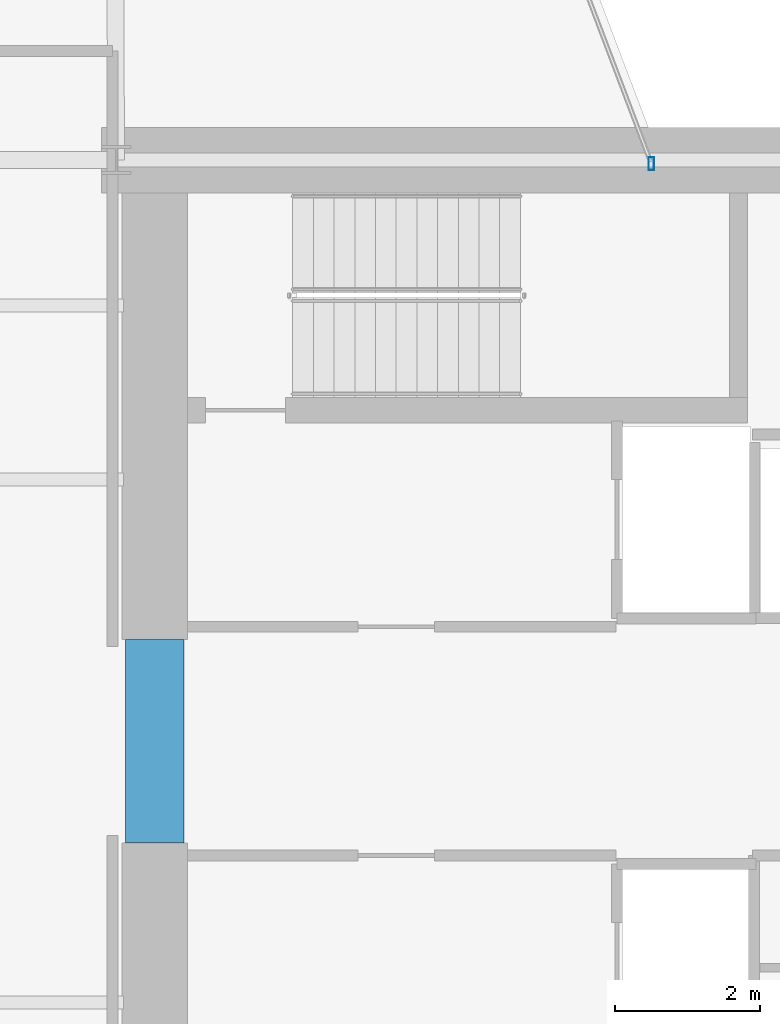
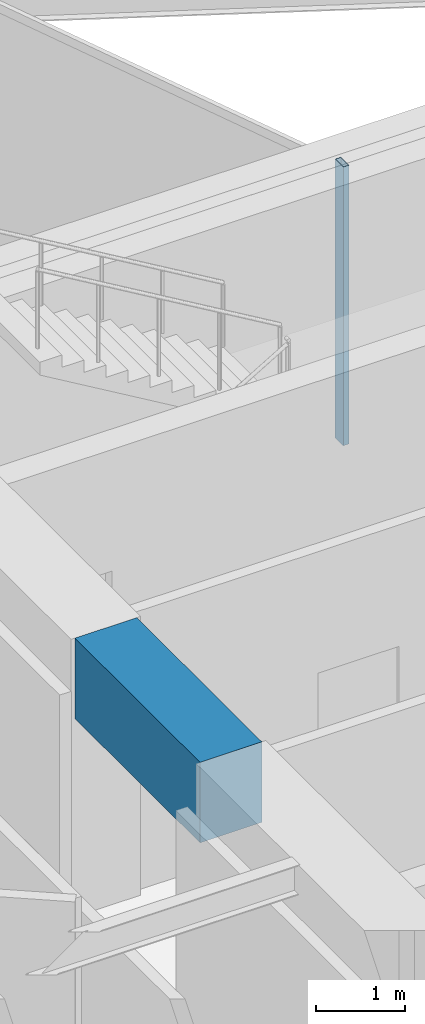
# One storey, part 16 of 28: 1 beam, 1 member, 1 element without a shape of its own.
"""IFC4 building model written with IfcOpenShell, lengths in metres."""

from ifc_helpers import new_model, si_unit, direction, frame, origin, origin_2d, place, context, subcontext, project, spatial, rectangle, hollow_rectangle, extrude, material, layer, layer_set, material_profile, profile_set, type_object, element, aggregate, save


model = new_model("IFC4")

# Units and contexts
model_context = context("Model", 3, precision=1e-05, world=origin(), true_north=direction((0.0, 1.0)))
body_context = subcontext(model_context, "Body", "Model", "MODEL_VIEW")
ifc_project = project(units=[si_unit("LENGTHUNIT", "METRE"), si_unit("AREAUNIT", "SQUARE_METRE"), si_unit("VOLUMEUNIT", "CUBIC_METRE"), si_unit("PLANEANGLEUNIT", "RADIAN"), si_unit("MASSUNIT", "GRAM", prefix="KILO")], contexts=[model_context])

# Site, building, storey
site_placement = place(None, origin())
site = spatial("IfcSite", under=ifc_project, at=site_placement, CompositionType="ELEMENT")
building_placement = place(site_placement, origin())
building = spatial("IfcBuilding", under=site, at=building_placement, Name="Veymaron Broadcast Tower", CompositionType="ELEMENT")
storey_placement = place(building_placement, frame((0.0, 0.0, 45.89990234375)))
storey = spatial("IfcBuildingStorey", under=building, at=storey_placement, Name="L09", CompositionType="ELEMENT", Elevation=45.89990234375)

# Beam
ifc_material_1 = material(Name="Concrete C70/85", Category="concrete")
ifc_material_profile_1 = material_profile(ifc_material_1, rectangle(XDim=0.800048828125, YDim=1.10009765625, at=origin_2d()), Name="RC800X1100")
ifc_profile_set_1 = profile_set([ifc_material_profile_1], Name="Concrete C70/85")
beam_type = type_object("IfcBeamType", Name="BM-CB1", PredefinedType="LINTEL", material=ifc_profile_set_1)
beam_placement = place(storey_placement, frame((39.530029296875, 22.60009765625, 3.260009765625), z_axis=(0.0, 1.0, 0.0), x_axis=(-1.0, 0.0, 0.0)))
element("IfcBeam", 1, at=beam_placement, inside=storey, type_object=beam_type, Name="L09 Core Wall west coupling beam", PredefinedType="LINTEL", context=body_context, shape_type="SweptSolid", body=[
    extrude(rectangle(XDim=0.800048828125, YDim=1.10009765625, at=origin_2d()), origin(), (0.0, 0.0, 1.0), 2.7998046875),
])

# Curtain wall, member
ifc_material_2 = material(Name="Anodised aluminium AA 6063-T6 and laminated low-E dark glass", Category="aluminium")
ifc_layer = layer(ifc_material_2, 0.179931640625)
ifc_layer_set = layer_set([ifc_layer], Name="Anodised aluminium AA 6063-T6 and laminated low-E dark glass")
curtain_wall_type = type_object("IfcCurtainWallType", Name="CW-SYS-02", PredefinedType="NOTDEFINED", material=ifc_layer_set)
curtain_wall_placement = place(storey_placement, origin())
curtain_wall = element("IfcCurtainWall", 2, at=curtain_wall_placement, inside=storey, type_object=curtain_wall_type, Name="L09 dark-glass curtain wall CW-L09-E5-1", PredefinedType="NOTDEFINED")
ifc_material_3 = material(Name="Anodised aluminium AA 6063-T6", Category="aluminium")
ifc_material_profile_2 = material_profile(ifc_material_3, hollow_rectangle(XDim=0.074951171875, YDim=0.179931640625, WallThickness=0.0048828125, at=origin_2d()), Name="AL180X75X5")
ifc_profile_set_2 = profile_set([ifc_material_profile_2], Name="Anodised aluminium AA 6063-T6")
member_type = type_object("IfcMemberType", Name="CW-MUL-02", PredefinedType="MULLION", material=ifc_profile_set_2)
member_placement = place(storey_placement, frame((46.3662109375, 31.950439453125, 0.0), z_axis=(0.0, 0.0, 1.0), x_axis=(1.0, 0.0, 0.0)))
member = element("IfcMember", 3, at=member_placement, type_object=member_type, Name="CW-L09-E5-1 mullion 0", PredefinedType="MULLION", context=body_context, shape_type="SweptSolid", body=[
    extrude(hollow_rectangle(XDim=0.074951171875, YDim=0.179931640625, WallThickness=0.0048828125, at=origin_2d()), origin(), (0.0, 0.0, 1.0), 3.81005859375),
])
aggregate(curtain_wall, [member])

save(model, "model.ifc")
